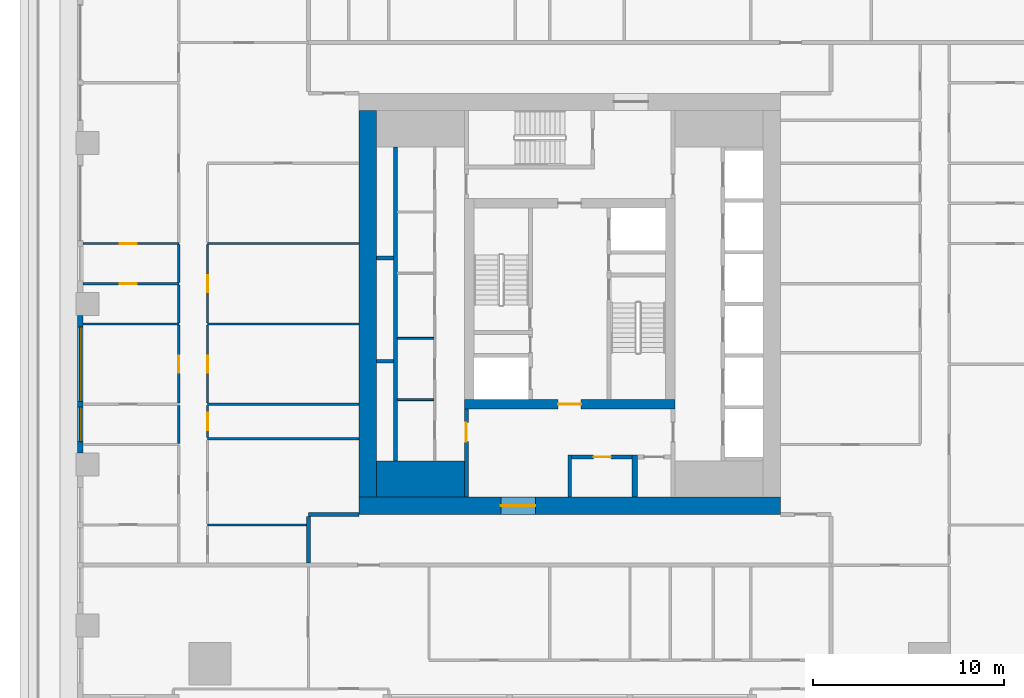
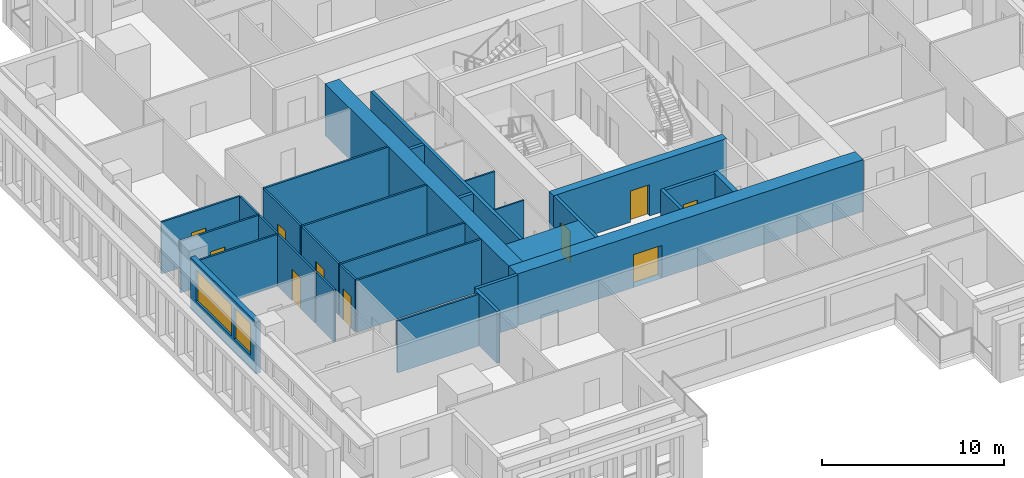
# One storey, part 3 of 14: 31 walls, 10 doors, 2 windows, 12 openings.
"""IFC4 building model written with IfcOpenShell, lengths in metres."""

from ifc_helpers import new_model, si_unit, direction, frame, frame_2d, origin, place, context, subcontext, project, spatial, rectangle, extrude, material, layer, layer_set, type_object, element, fill, save


model = new_model("IFC4")

# Units and contexts
model_context = context("Model", 3, precision=1e-05, world=origin(), true_north=direction((0.0, 1.0)))
body_context = subcontext(model_context, "Body", "Model", "MODEL_VIEW")
ifc_project = project(units=[si_unit("LENGTHUNIT", "METRE"), si_unit("AREAUNIT", "SQUARE_METRE"), si_unit("VOLUMEUNIT", "CUBIC_METRE"), si_unit("PLANEANGLEUNIT", "RADIAN"), si_unit("MASSUNIT", "GRAM", prefix="KILO")], contexts=[model_context])

# Site, building, storey
site_placement = place(None, origin())
site = spatial("IfcSite", under=ifc_project, at=site_placement, CompositionType="ELEMENT")
building_placement = place(site_placement, origin())
building = spatial("IfcBuilding", under=site, at=building_placement, Name="Khepri Terraces", CompositionType="ELEMENT")
storey_placement = place(building_placement, frame((0.0, 0.0, 264.0)))
storey = spatial("IfcBuildingStorey", under=building, at=storey_placement, Name="L63", CompositionType="ELEMENT", Elevation=264.0)

# Walls
ifc_material_1 = material(Name="Concrete C40/50", Category="concrete")
ifc_layer_1 = layer(ifc_material_1, 1.89990234375, Name="Concrete C40/50", Category="concrete")
ifc_layer_set_1 = layer_set([ifc_layer_1], Name="Concrete C40/50")
wall_type_1 = type_object("IfcWallType", Name="Core wall 1900 C40/50", PredefinedType="SHEAR", material=ifc_layer_set_1)
wall_1_placement = place(storey_placement, frame((-10.10009765625, -9.14990234375, 0.0), z_axis=(0.0, 0.0, 1.0), x_axis=(1.0, 0.0, 0.0)))
element("IfcWall", 1, at=wall_1_placement, inside=storey, type_object=wall_type_1, Name="Core wall PR01 L63", PredefinedType="SHEAR", context=body_context, shape_type="SweptSolid", body=[
    extrude(rectangle(XDim=4.60009765625, YDim=1.89990234375, at=frame_2d((2.300048828125, 0.0))), origin(), (0.0, 0.0, 1.0), 3.47998046875),
])
ifc_layer_2 = layer(ifc_material_1, 0.199951171875, Name="Concrete C40/50", Category="concrete")
ifc_layer_set_2 = layer_set([ifc_layer_2], Name="Concrete C40/50")
wall_type_2 = type_object("IfcWallType", Name="Core wall 200 C40/50", PredefinedType="SHEAR", material=ifc_layer_set_2)
wall_2_placement = place(storey_placement, frame((-9.10009765625, -8.199951171875, 0.0), z_axis=(0.0, 0.0, 1.0), x_axis=(0.0, 1.0, 0.0)))
element("IfcWall", 2, at=wall_2_placement, inside=storey, type_object=wall_type_2, Name="Core wall SH01 L63", PredefinedType="SHEAR", context=body_context, shape_type="SweptSolid", body=[
    extrude(rectangle(XDim=16.39990234375, YDim=0.199951171875, at=frame_2d((8.199951171875, 0.0))), origin(), (0.0, 0.0, 1.0), 3.47998046875),
])
for number, where, z_axis, x_axis, name in (
    (3, (-10.10009765625, -3.0, 0.0), (0.0, 0.0, 1.0), (1.0, 0.0, 0.0), "Core wall SH06 L63"),
    (4, (-10.10009765625, 2.39990234375, 0.0), (0.0, 0.0, 1.0), (1.0, 0.0, 0.0), "Core wall SH11 L63"),
):
    element("IfcWall", number, at=place(storey_placement, frame(where, z_axis=z_axis, x_axis=x_axis)), inside=storey, type_object=wall_type_2, Name=name, PredefinedType="SHEAR", context=body_context, shape_type="SweptSolid", body=[
        extrude(rectangle(XDim=0.900146484375, YDim=0.199951171875, at=frame_2d((0.4501953125, 0.0))), origin(), (0.0, 0.0, 1.0), 3.47998046875),
    ])

# Wall, opening, door
ifc_layer_3 = layer(ifc_material_1, 0.5, Name="Concrete C40/50", Category="concrete")
ifc_layer_set_3 = layer_set([ifc_layer_3], Name="Concrete C40/50")
wall_type_3 = type_object("IfcWallType", Name="Core wall 500 C40/50", PredefinedType="SHEAR", material=ifc_layer_set_3)
wall_3_placement = place(storey_placement, frame((-5.5, -5.25, 0.0), z_axis=(0.0, 0.0, 1.0), x_axis=(1.0, 0.0, 0.0)))
wall_3 = element("IfcWall", 5, at=wall_3_placement, inside=storey, type_object=wall_type_3, Name="Core wall BX01 L63", PredefinedType="SHEAR", context=body_context, shape_type="SweptSolid", body=[
    extrude(rectangle(XDim=11.0, YDim=0.5, at=frame_2d((5.5, 0.0))), origin(), (0.0, 0.0, 1.0), 3.47998046875),
])
opening_1_placement = place(wall_3_placement, frame((4.89990234375, 0.0, 0.0)))
opening_1 = element("IfcOpeningElement", 6, at=opening_1_placement, cuts=wall_3, Name="Opening L63-C14", PredefinedType="OPENING", context=body_context, shape_type="SweptSolid", body=[
    extrude(rectangle(XDim=1.199951171875, YDim=2.10009765625, at=frame_2d((0.60009765625, 1.050048828125))), frame((0.0, 0.260009765625, 0.0), z_axis=(0.0, -1.0, 0.0), x_axis=(1.0, 0.0, 0.0)), (0.0, 0.0, 1.0), 0.52001953125),
])
ifc_material_2 = material(Name="Painted steel", Category="steel")
door_type_1 = type_object("IfcDoorType", Name="DR-CORE-FF-LOBBY-1200", OperationType="NOTDEFINED", PredefinedType="DOOR", material=ifc_material_2)
door_1_placement = place(opening_1_placement, origin())
door_1 = element("IfcDoor", 7, at=door_1_placement, inside=storey, type_object=door_type_1, Name="Firefighting lobby door L63-C14", OperationType="SINGLE_SWING_RIGHT", OverallHeight=2.10009765625, OverallWidth=1.199951171875, PredefinedType="DOOR", context=body_context, shape_type="SweptSolid", body=[
    extrude(rectangle(XDim=1.199951171875, YDim=2.10009765625, at=frame_2d((0.60009765625, 1.050048828125))), frame((0.0, 0.02490234375, 0.0), z_axis=(0.0, -1.0, 0.0), x_axis=(1.0, 0.0, 0.0)), (0.0, 0.0, 1.0), 0.050048828125),
])
fill(opening_1, door_1)

ifc_layer_4 = layer(ifc_material_1, 0.89990234375, Name="Concrete C40/50", Category="concrete")
ifc_layer_set_4 = layer_set([ifc_layer_4], Name="Concrete C40/50")
wall_type_4 = type_object("IfcWallType", Name="Core wall 900 C40/50", PredefinedType="SHEAR", material=ifc_layer_set_4)
wall_4_placement = place(storey_placement, frame((-11.0, -10.550048828125, 0.0), z_axis=(0.0, 0.0, 1.0), x_axis=(1.0, 0.0, 0.0)))
wall_4 = element("IfcWall", 8, at=wall_4_placement, inside=storey, type_object=wall_type_4, Name="Core wall OW-S L63", PredefinedType="SHEAR", context=body_context, shape_type="SweptSolid", body=[
    extrude(rectangle(XDim=22.0, YDim=0.89990234375, at=frame_2d((11.0, 0.0))), origin(), (0.0, 0.0, 1.0), 3.47998046875),
])
opening_2_placement = place(wall_4_placement, frame((7.39990234375, 0.0, 0.0)))
opening_2 = element("IfcOpeningElement", 9, at=opening_2_placement, cuts=wall_4, Name="Opening L63-C21", PredefinedType="OPENING", context=body_context, shape_type="SweptSolid", body=[
    extrude(rectangle(XDim=1.800048828125, YDim=2.199951171875, at=frame_2d((0.89990234375, 1.10009765625))), frame((0.0, 0.4599609375, 0.0), z_axis=(0.0, -1.0, 0.0), x_axis=(1.0, 0.0, 0.0)), (0.0, 0.0, 1.0), 0.919921875),
])
door_type_2 = type_object("IfcDoorType", Name="DR-CORE-ENTRANCE-1800", OperationType="NOTDEFINED", PredefinedType="DOOR", material=ifc_material_2)
door_2_placement = place(opening_2_placement, frame((1.800048828125, 0.0, 0.0), z_axis=(0.0, 0.0, 1.0), x_axis=(-1.0, 0.0, 0.0)))
door_2 = element("IfcDoor", 10, at=door_2_placement, inside=storey, type_object=door_type_2, Name="Core entrance door pair L63-C21", OperationType="DOUBLE_DOOR_SINGLE_SWING", OverallHeight=2.199951171875, OverallWidth=1.800048828125, PredefinedType="DOOR", context=body_context, shape_type="SweptSolid", body=[
    extrude(rectangle(XDim=1.800048828125, YDim=2.199951171875, at=frame_2d((0.89990234375, 1.10009765625))), frame((0.0, 0.02490234375, 0.0), z_axis=(0.0, -1.0, 0.0), x_axis=(1.0, 0.0, 0.0)), (0.0, 0.0, 1.0), 0.050048828125),
])
fill(opening_2, door_2)

# Walls
wall_5_placement = place(storey_placement, frame((-10.550048828125, -10.10009765625, 0.0), z_axis=(0.0, 0.0, 1.0), x_axis=(0.0, 1.0, 0.0)))
element("IfcWall", 11, at=wall_5_placement, inside=storey, type_object=wall_type_4, Name="Core wall OW-W L63", PredefinedType="SHEAR", context=body_context, shape_type="SweptSolid", body=[
    extrude(rectangle(XDim=20.2001953125, YDim=0.89990234375, at=frame_2d((10.10009765625, 0.0))), origin(), (0.0, 0.0, 1.0), 3.47998046875),
])
ifc_material_3 = material(Name="Fire-rated gypsum board partition")
ifc_layer_5 = layer(ifc_material_3, 0.10009765625, Name="Fire-rated gypsum board partition")
ifc_layer_set_5 = layer_set([ifc_layer_5], Name="Fire-rated gypsum board partition")
wall_type_5 = type_object("IfcWallType", Name="WL-CORE-PART-100", PredefinedType="PARTITIONING", material=ifc_layer_set_5)
for number, where, z_axis, x_axis, name in (
    (12, (-9.0, -5.0, 0.0), (0.0, 0.0, 1.0), (1.0, 0.0, 0.0), "Core partition PT08 L63"),
    (13, (-9.0, -1.800048828125, 0.0), (0.0, 0.0, 1.0), (1.0, 0.0, 0.0), "Core partition PT09 L63"),
):
    element("IfcWall", number, at=place(storey_placement, frame(where, z_axis=z_axis, x_axis=x_axis)), inside=storey, type_object=wall_type_5, Name=name, PredefinedType="PARTITIONING", context=body_context, shape_type="SweptSolid", body=[
        extrude(rectangle(XDim=1.89990234375, YDim=0.10009765625, at=frame_2d((0.949951171875, 0.0))), origin(), (0.0, 0.0, 1.0), 3.47998046875),
    ])

# Wall, opening, door
ifc_layer_6 = layer(ifc_material_3, 0.199951171875, Name="Fire-rated gypsum board partition")
ifc_layer_set_6 = layer_set([ifc_layer_6], Name="Fire-rated gypsum board partition")
wall_type_6 = type_object("IfcWallType", Name="WL-CORE-PART-200", PredefinedType="PARTITIONING", material=ifc_layer_set_6)
wall_6_placement = place(storey_placement, frame((-5.39990234375, -10.10009765625, 0.0), z_axis=(0.0, 0.0, 1.0), x_axis=(0.0, 1.0, 0.0)))
wall_6 = element("IfcWall", 14, at=wall_6_placement, inside=storey, type_object=wall_type_6, Name="Core partition PT01 L63", PredefinedType="PARTITIONING", context=body_context, shape_type="SweptSolid", body=[
    extrude(rectangle(XDim=4.60009765625, YDim=0.199951171875, at=frame_2d((2.300048828125, 0.0))), origin(), (0.0, 0.0, 1.0), 3.47998046875),
])
opening_3_placement = place(wall_6_placement, frame((2.89990234375, 0.0, 0.0)))
opening_3 = element("IfcOpeningElement", 15, at=opening_3_placement, cuts=wall_6, Name="Opening L63-C18", PredefinedType="OPENING", context=body_context, shape_type="SweptSolid", body=[
    extrude(rectangle(XDim=1.0, YDim=2.10009765625, at=frame_2d((0.5, 1.050048828125))), frame((0.0, 0.10986328125, 0.0), z_axis=(0.0, -1.0, 0.0), x_axis=(1.0, 0.0, 0.0)), (0.0, 0.0, 1.0), 0.219970703125),
])
door_type_3 = type_object("IfcDoorType", Name="DR-CORE-LOBBY-1000", OperationType="NOTDEFINED", PredefinedType="DOOR", material=ifc_material_2)
door_3_placement = place(opening_3_placement, frame((1.0, 0.0, 0.0), z_axis=(0.0, 0.0, 1.0), x_axis=(-1.0, 0.0, 0.0)))
door_3 = element("IfcDoor", 16, at=door_3_placement, inside=storey, type_object=door_type_3, Name="Lobby door L63-C18", OperationType="SINGLE_SWING_LEFT", OverallHeight=2.10009765625, OverallWidth=1.0, PredefinedType="DOOR", context=body_context, shape_type="SweptSolid", body=[
    extrude(rectangle(XDim=1.0, YDim=2.10009765625, at=frame_2d((0.5, 1.050048828125))), frame((0.0, 0.02490234375, 0.0), z_axis=(0.0, -1.0, 0.0), x_axis=(1.0, 0.0, 0.0)), (0.0, 0.0, 1.0), 0.050048828125),
])
fill(opening_3, door_3)

# Wall
wall_7_placement = place(storey_placement, frame((0.0, -10.10009765625, 0.0), z_axis=(0.0, 0.0, 1.0), x_axis=(0.0, 1.0, 0.0)))
element("IfcWall", 17, at=wall_7_placement, inside=storey, type_object=wall_type_6, Name="Core partition PT02 L63", PredefinedType="PARTITIONING", context=body_context, shape_type="SweptSolid", body=[
    extrude(rectangle(XDim=2.2001953125, YDim=0.199951171875, at=frame_2d((1.10009765625, 0.0))), origin(), (0.0, 0.0, 1.0), 3.47998046875),
])

# Wall, opening, door
wall_8_placement = place(storey_placement, frame((0.10009765625, -8.0, 0.0), z_axis=(0.0, 0.0, 1.0), x_axis=(1.0, 0.0, 0.0)))
wall_8 = element("IfcWall", 18, at=wall_8_placement, inside=storey, type_object=wall_type_6, Name="Core partition PT06 L63", PredefinedType="PARTITIONING", context=body_context, shape_type="SweptSolid", body=[
    extrude(rectangle(XDim=3.14990234375, YDim=0.199951171875, at=frame_2d((1.574951171875, 0.0))), origin(), (0.0, 0.0, 1.0), 3.47998046875),
])
opening_4_placement = place(wall_8_placement, frame((1.14990234375, 0.0, 0.0)))
opening_4 = element("IfcOpeningElement", 19, at=opening_4_placement, cuts=wall_8, Name="Opening L63-C22", PredefinedType="OPENING", context=body_context, shape_type="SweptSolid", body=[
    extrude(rectangle(XDim=0.89990234375, YDim=2.10009765625, at=frame_2d((0.449951171875, 1.050048828125))), frame((0.0, 0.10986328125, 0.0), z_axis=(0.0, -1.0, 0.0), x_axis=(1.0, 0.0, 0.0)), (0.0, 0.0, 1.0), 0.219970703125),
])
door_type_4 = type_object("IfcDoorType", Name="DR-CORE-SERVICE-900", OperationType="NOTDEFINED", PredefinedType="DOOR", material=ifc_material_2)
door_4_placement = place(opening_4_placement, frame((0.89990234375, 0.0, 0.0), z_axis=(0.0, 0.0, 1.0), x_axis=(-1.0, 0.0, 0.0)))
door_4 = element("IfcDoor", 20, at=door_4_placement, inside=storey, type_object=door_type_4, Name="Service room door L63-C22", OperationType="SINGLE_SWING_LEFT", OverallHeight=2.10009765625, OverallWidth=0.89990234375, PredefinedType="DOOR", context=body_context, shape_type="SweptSolid", body=[
    extrude(rectangle(XDim=0.89990234375, YDim=2.10009765625, at=frame_2d((0.449951171875, 1.050048828125))), frame((0.0, 0.02490234375, 0.0), z_axis=(0.0, -1.0, 0.0), x_axis=(1.0, 0.0, 0.0)), (0.0, 0.0, 1.0), 0.050048828125),
])
fill(opening_4, door_4)

# Walls
ifc_layer_7 = layer(ifc_material_3, 0.300048828125, Name="Fire-rated gypsum board partition")
ifc_layer_set_7 = layer_set([ifc_layer_7], Name="Fire-rated gypsum board partition")
wall_type_7 = type_object("IfcWallType", Name="WL-CORE-PART-300", PredefinedType="PARTITIONING", material=ifc_layer_set_7)
wall_9_placement = place(storey_placement, frame((3.39990234375, -10.10009765625, 0.0), z_axis=(0.0, 0.0, 1.0), x_axis=(0.0, 1.0, 0.0)))
element("IfcWall", 21, at=wall_9_placement, inside=storey, type_object=wall_type_7, Name="Core partition PT03 L63", PredefinedType="PARTITIONING", context=body_context, shape_type="SweptSolid", body=[
    extrude(rectangle(XDim=2.2001953125, YDim=0.300048828125, at=frame_2d((1.10009765625, 0.0))), origin(), (0.0, 0.0, 1.0), 3.47998046875),
])
ifc_material_4 = material(Name="Fire-rated gypsum plasterboard partition, mineral wool")
ifc_layer_8 = layer(ifc_material_4, 0.199951171875, Name="Fire-rated gypsum plasterboard partition, mineral wool")
ifc_layer_set_8 = layer_set([ifc_layer_8], Name="Fire-rated gypsum plasterboard partition, mineral wool")
wall_type_8 = type_object("IfcWallType", Name="WL-CORR-200", PredefinedType="PARTITIONING", material=ifc_layer_set_8)
wall_10_placement = place(storey_placement, frame((-13.64990234375, -13.550048828125, 0.0), z_axis=(0.0, 0.0, 1.0), x_axis=(0.0, 1.0, 0.0)))
element("IfcWall", 22, at=wall_10_placement, inside=storey, type_object=wall_type_8, Name="Partition P-023 L63", PredefinedType="PARTITIONING", context=body_context, shape_type="SweptSolid", body=[
    extrude(rectangle(XDim=2.449951171875, YDim=0.199951171875, at=frame_2d((1.22509765625, 0.0))), origin(), (0.0, 0.0, 1.0), 3.47998046875),
])
wall_11_placement = place(storey_placement, frame((-13.64990234375, -11.0, 0.0), z_axis=(0.0, 0.0, 1.0), x_axis=(1.0, 0.0, 0.0)))
element("IfcWall", 23, at=wall_11_placement, inside=storey, type_object=wall_type_8, Name="Partition P-031 L63", PredefinedType="PARTITIONING", context=body_context, shape_type="SweptSolid", body=[
    extrude(rectangle(XDim=2.64990234375, YDim=0.199951171875, at=frame_2d((1.324951171875, 0.0))), origin(), (0.0, 0.0, 1.0), 3.47998046875),
])

# Wall, openings, windows
ifc_material_5 = material(Name="Precast concrete C50/60 warm stone", Category="masonry")
ifc_layer_9 = layer(ifc_material_5, 0.300048828125, Name="Precast concrete C50/60 warm stone", Category="masonry")
ifc_layer_set_9 = layer_set([ifc_layer_9], Name="Precast concrete C50/60 warm stone")
wall_type_9 = type_object("IfcWallType", Name="WL-EXT-PRECAST-300", PredefinedType="STANDARD", material=ifc_layer_set_9)
wall_12_placement = place(storey_placement, frame((-25.570068359375, -0.60009765625, 0.0), z_axis=(0.0, 0.0, 1.0), x_axis=(0.0, -1.0, 0.0)))
wall_12 = element("IfcWall", 24, at=wall_12_placement, inside=storey, type_object=wall_type_9, Name="External wall L63 W", PredefinedType="STANDARD", context=body_context, shape_type="SweptSolid", body=[
    extrude(rectangle(XDim=7.199951171875, YDim=0.300048828125, at=frame_2d((3.60009765625, 0.0))), origin(), (0.0, 0.0, 1.0), 3.47998046875),
])
opening_5_placement = place(wall_12_placement, frame((0.60009765625, 0.0, 0.89990234375)))
opening_5 = element("IfcOpeningElement", 25, at=opening_5_placement, cuts=wall_12, Name="Opening W2", PredefinedType="OPENING", context=body_context, shape_type="SweptSolid", body=[
    extrude(rectangle(XDim=3.89990234375, YDim=2.10009765625, at=frame_2d((1.949951171875, 1.050048828125))), frame((0.0, 0.16015625, 0.0), z_axis=(0.0, -1.0, 0.0), x_axis=(1.0, 0.0, 0.0)), (0.0, 0.0, 1.0), 0.320068359375),
])
opening_6_placement = place(wall_12_placement, frame((4.800048828125, 0.0, 0.89990234375)))
opening_6 = element("IfcOpeningElement", 26, at=opening_6_placement, cuts=wall_12, Name="Opening W1", PredefinedType="OPENING", context=body_context, shape_type="SweptSolid", body=[
    extrude(rectangle(XDim=1.800048828125, YDim=2.10009765625, at=frame_2d((0.89990234375, 1.050048828125))), frame((0.0, 0.16015625, 0.0), z_axis=(0.0, -1.0, 0.0), x_axis=(1.0, 0.0, 0.0)), (0.0, 0.0, 1.0), 0.320068359375),
])
ifc_material_6 = material(Name="Clear glass", Category="glass")
window_type_1 = type_object("IfcWindowType", Name="WIN-RES-1800x2100", PartitioningType="SINGLE_PANEL", PredefinedType="WINDOW", material=ifc_material_6)
window_1_placement = place(opening_6_placement, origin())
window_1 = element("IfcWindow", 27, at=window_1_placement, inside=storey, type_object=window_type_1, Name="Window L63 W", OverallHeight=2.10009765625, OverallWidth=1.800048828125, PartitioningType="SINGLE_PANEL", PredefinedType="WINDOW", context=body_context, shape_type="SweptSolid", body=[
    extrude(rectangle(XDim=1.800048828125, YDim=2.10009765625, at=frame_2d((0.89990234375, 1.050048828125))), frame((0.0, 0.030029296875, 0.0), z_axis=(0.0, -1.0, 0.0), x_axis=(1.0, 0.0, 0.0)), (0.0, 0.0, 1.0), 0.06005859375),
])
fill(opening_6, window_1)
window_type_2 = type_object("IfcWindowType", Name="WIN-RES-3900x2100", PartitioningType="SINGLE_PANEL", PredefinedType="WINDOW", material=ifc_material_6)
window_2_placement = place(opening_5_placement, origin())
window_2 = element("IfcWindow", 28, at=window_2_placement, inside=storey, type_object=window_type_2, Name="Window L63 W", OverallHeight=2.10009765625, OverallWidth=3.89990234375, PartitioningType="SINGLE_PANEL", PredefinedType="WINDOW", context=body_context, shape_type="SweptSolid", body=[
    extrude(rectangle(XDim=3.89990234375, YDim=2.10009765625, at=frame_2d((1.949951171875, 1.050048828125))), frame((0.0, 0.030029296875, 0.0), z_axis=(0.0, -1.0, 0.0), x_axis=(1.0, 0.0, 0.0)), (0.0, 0.0, 1.0), 0.06005859375),
])
fill(opening_5, window_2)

# Walls
ifc_material_7 = material(Name="Gypsum plasterboard partition")
ifc_layer_10 = layer(ifc_material_7, 0.1201171875, Name="Gypsum plasterboard partition")
ifc_layer_set_10 = layer_set([ifc_layer_10], Name="Gypsum plasterboard partition")
wall_type_10 = type_object("IfcWallType", Name="WL-PART-120", PredefinedType="PARTITIONING", material=ifc_layer_set_10)
wall_13_placement = place(storey_placement, frame((-18.919921875, -11.550048828125, 0.0), z_axis=(0.0, 0.0, 1.0), x_axis=(1.0, 0.0, 0.0)))
element("IfcWall", 29, at=wall_13_placement, inside=storey, type_object=wall_type_10, Name="Partition P-026 L63", PredefinedType="PARTITIONING", context=body_context, shape_type="SweptSolid", body=[
    extrude(rectangle(XDim=5.169921875, YDim=0.1201171875, at=frame_2d((2.5849609375, 0.0))), origin(), (0.0, 0.0, 1.0), 3.47998046875),
])
wall_14_placement = place(storey_placement, frame((-20.419921875, -7.2900390625, 0.0), z_axis=(0.0, 0.0, 1.0), x_axis=(0.0, 1.0, 0.0)))
element("IfcWall", 30, at=wall_14_placement, inside=storey, type_object=wall_type_10, Name="Partition P-035 L63", PredefinedType="PARTITIONING", context=body_context, shape_type="SweptSolid", body=[
    extrude(rectangle(XDim=1.97998046875, YDim=0.1201171875, at=frame_2d((0.989990234375, 0.0))), origin(), (0.0, 0.0, 1.0), 3.47998046875),
])
wall_15_placement = place(storey_placement, frame((-18.919921875, -7.050048828125, 0.0), z_axis=(0.0, 0.0, 1.0), x_axis=(1.0, 0.0, 0.0)))
element("IfcWall", 31, at=wall_15_placement, inside=storey, type_object=wall_type_10, Name="Partition P-037 L63", PredefinedType="PARTITIONING", context=body_context, shape_type="SweptSolid", body=[
    extrude(rectangle(XDim=7.919921875, YDim=0.1201171875, at=frame_2d((3.9599609375, 0.0))), origin(), (0.0, 0.0, 1.0), 3.47998046875),
])

# Wall, opening, door
wall_16_placement = place(storey_placement, frame((-18.919921875, -6.989990234375, 0.0), z_axis=(0.0, 0.0, 1.0), x_axis=(0.0, 1.0, 0.0)))
wall_16 = element("IfcWall", 32, at=wall_16_placement, inside=storey, type_object=wall_type_10, Name="Partition P-038 L63", PredefinedType="PARTITIONING", context=body_context, shape_type="SweptSolid", body=[
    extrude(rectangle(XDim=1.679931640625, YDim=0.1201171875, at=frame_2d((0.83984375, 0.0))), origin(), (0.0, 0.0, 1.0), 3.47998046875),
])
opening_7_placement = place(wall_16_placement, frame((0.389892578125, 0.0, 0.0)))
opening_7 = element("IfcOpeningElement", 33, at=opening_7_placement, cuts=wall_16, Name="Opening D4", PredefinedType="OPENING", context=body_context, shape_type="SweptSolid", body=[
    extrude(rectangle(XDim=0.89990234375, YDim=2.10009765625, at=frame_2d((0.449951171875, 1.050048828125))), frame((0.0, 0.070068359375, 0.0), z_axis=(0.0, -1.0, 0.0), x_axis=(1.0, 0.0, 0.0)), (0.0, 0.0, 1.0), 0.14013671875),
])
ifc_material_8 = material(Name="Timber door leaf, moisture resistant", Category="wood")
door_type_5 = type_object("IfcDoorType", Name="DR-WET-900", OperationType="NOTDEFINED", PredefinedType="DOOR", material=ifc_material_8)
door_5_placement = place(opening_7_placement, frame((0.89990234375, 0.0, 0.0), z_axis=(0.0, 0.0, 1.0), x_axis=(-1.0, 0.0, 0.0)))
door_5 = element("IfcDoor", 34, at=door_5_placement, inside=storey, type_object=door_type_5, Name="Door Guest Bathroom", OperationType="SINGLE_SWING_RIGHT", OverallHeight=2.10009765625, OverallWidth=0.89990234375, PredefinedType="DOOR", context=body_context, shape_type="SweptSolid", body=[
    extrude(rectangle(XDim=0.89990234375, YDim=2.10009765625, at=frame_2d((0.449951171875, 1.050048828125))), frame((0.0, 0.02490234375, 0.0), z_axis=(0.0, -1.0, 0.0), x_axis=(1.0, 0.0, 0.0)), (0.0, 0.0, 1.0), 0.050048828125),
])
fill(opening_7, door_5)

# Wall
wall_17_placement = place(storey_placement, frame((-18.919921875, -5.25, 0.0), z_axis=(0.0, 0.0, 1.0), x_axis=(1.0, 0.0, 0.0)))
element("IfcWall", 35, at=wall_17_placement, inside=storey, type_object=wall_type_10, Name="Partition P-040 L63", PredefinedType="PARTITIONING", context=body_context, shape_type="SweptSolid", body=[
    extrude(rectangle(XDim=7.919921875, YDim=0.1201171875, at=frame_2d((3.9599609375, 0.0))), origin(), (0.0, 0.0, 1.0), 3.47998046875),
])

# Wall, opening, door
wall_18_placement = place(storey_placement, frame((-20.419921875, -5.18994140625, 0.0), z_axis=(0.0, 0.0, 1.0), x_axis=(0.0, 1.0, 0.0)))
wall_18 = element("IfcWall", 36, at=wall_18_placement, inside=storey, type_object=wall_type_10, Name="Partition P-041 L63", PredefinedType="PARTITIONING", context=body_context, shape_type="SweptSolid", body=[
    extrude(rectangle(XDim=4.079833984375, YDim=0.1201171875, at=frame_2d((2.0400390625, 0.0))), origin(), (0.0, 0.0, 1.0), 3.47998046875),
])
opening_8_placement = place(wall_18_placement, frame((1.590087890625, 0.0, 0.0)))
opening_8 = element("IfcOpeningElement", 37, at=opening_8_placement, cuts=wall_18, Name="Opening D3", PredefinedType="OPENING", context=body_context, shape_type="SweptSolid", body=[
    extrude(rectangle(XDim=0.89990234375, YDim=2.10009765625, at=frame_2d((0.449951171875, 1.050048828125))), frame((0.0, 0.070068359375, 0.0), z_axis=(0.0, -1.0, 0.0), x_axis=(1.0, 0.0, 0.0)), (0.0, 0.0, 1.0), 0.14013671875),
])
ifc_material_9 = material(Name="Timber door leaf", Category="wood")
door_type_6 = type_object("IfcDoorType", Name="DR-INT-900", OperationType="NOTDEFINED", PredefinedType="DOOR", material=ifc_material_9)
door_6_placement = place(opening_8_placement, origin())
door_6 = element("IfcDoor", 38, at=door_6_placement, inside=storey, type_object=door_type_6, Name="Door Bedroom", OperationType="SINGLE_SWING_RIGHT", OverallHeight=2.10009765625, OverallWidth=0.89990234375, PredefinedType="DOOR", context=body_context, shape_type="SweptSolid", body=[
    extrude(rectangle(XDim=0.89990234375, YDim=2.10009765625, at=frame_2d((0.449951171875, 1.050048828125))), frame((0.0, 0.02490234375, 0.0), z_axis=(0.0, -1.0, 0.0), x_axis=(1.0, 0.0, 0.0)), (0.0, 0.0, 1.0), 0.050048828125),
])
fill(opening_8, door_6)

wall_19_placement = place(storey_placement, frame((-18.919921875, -5.18994140625, 0.0), z_axis=(0.0, 0.0, 1.0), x_axis=(0.0, 1.0, 0.0)))
wall_19 = element("IfcWall", 39, at=wall_19_placement, inside=storey, type_object=wall_type_10, Name="Partition P-042 L63", PredefinedType="PARTITIONING", context=body_context, shape_type="SweptSolid", body=[
    extrude(rectangle(XDim=4.079833984375, YDim=0.1201171875, at=frame_2d((2.0400390625, 0.0))), origin(), (0.0, 0.0, 1.0), 3.47998046875),
])
opening_9_placement = place(wall_19_placement, frame((1.590087890625, 0.0, 0.0)))
opening_9 = element("IfcOpeningElement", 40, at=opening_9_placement, cuts=wall_19, Name="Opening D3", PredefinedType="OPENING", context=body_context, shape_type="SweptSolid", body=[
    extrude(rectangle(XDim=0.89990234375, YDim=2.10009765625, at=frame_2d((0.449951171875, 1.050048828125))), frame((0.0, 0.070068359375, 0.0), z_axis=(0.0, -1.0, 0.0), x_axis=(1.0, 0.0, 0.0)), (0.0, 0.0, 1.0), 0.14013671875),
])
door_7_placement = place(opening_9_placement, frame((0.89990234375, 0.0, 0.0), z_axis=(0.0, 0.0, 1.0), x_axis=(-1.0, 0.0, 0.0)))
door_7 = element("IfcDoor", 41, at=door_7_placement, inside=storey, type_object=door_type_6, Name="Door Staff Bedroom", OperationType="SINGLE_SWING_LEFT", OverallHeight=2.10009765625, OverallWidth=0.89990234375, PredefinedType="DOOR", context=body_context, shape_type="SweptSolid", body=[
    extrude(rectangle(XDim=0.89990234375, YDim=2.10009765625, at=frame_2d((0.449951171875, 1.050048828125))), frame((0.0, 0.02490234375, 0.0), z_axis=(0.0, -1.0, 0.0), x_axis=(1.0, 0.0, 0.0)), (0.0, 0.0, 1.0), 0.050048828125),
])
fill(opening_9, door_7)

# Walls
wall_20_placement = place(storey_placement, frame((-25.419921875, -1.050048828125, 0.0), z_axis=(0.0, 0.0, 1.0), x_axis=(1.0, 0.0, 0.0)))
element("IfcWall", 42, at=wall_20_placement, inside=storey, type_object=wall_type_10, Name="Partition P-047 L63", PredefinedType="PARTITIONING", context=body_context, shape_type="SweptSolid", body=[
    extrude(rectangle(XDim=5.0, YDim=0.1201171875, at=frame_2d((2.5, 0.0))), origin(), (0.0, 0.0, 1.0), 3.47998046875),
])
wall_21_placement = place(storey_placement, frame((-18.919921875, -1.050048828125, 0.0), z_axis=(0.0, 0.0, 1.0), x_axis=(1.0, 0.0, 0.0)))
element("IfcWall", 43, at=wall_21_placement, inside=storey, type_object=wall_type_10, Name="Partition P-048 L63", PredefinedType="PARTITIONING", context=body_context, shape_type="SweptSolid", body=[
    extrude(rectangle(XDim=7.919921875, YDim=0.1201171875, at=frame_2d((3.9599609375, 0.0))), origin(), (0.0, 0.0, 1.0), 3.47998046875),
])
wall_22_placement = place(storey_placement, frame((-20.419921875, -0.989990234375, 0.0), z_axis=(0.0, 0.0, 1.0), x_axis=(0.0, 1.0, 0.0)))
element("IfcWall", 44, at=wall_22_placement, inside=storey, type_object=wall_type_10, Name="Partition P-049 L63", PredefinedType="PARTITIONING", context=body_context, shape_type="SweptSolid", body=[
    extrude(rectangle(XDim=1.97998046875, YDim=0.1201171875, at=frame_2d((0.989990234375, 0.0))), origin(), (0.0, 0.0, 1.0), 3.47998046875),
])

# Wall, opening, door
wall_23_placement = place(storey_placement, frame((-18.919921875, -0.989990234375, 0.0), z_axis=(0.0, 0.0, 1.0), x_axis=(0.0, 1.0, 0.0)))
wall_23 = element("IfcWall", 45, at=wall_23_placement, inside=storey, type_object=wall_type_10, Name="Partition P-050 L63", PredefinedType="PARTITIONING", context=body_context, shape_type="SweptSolid", body=[
    extrude(rectangle(XDim=4.080078125, YDim=0.1201171875, at=frame_2d((2.0400390625, 0.0))), origin(), (0.0, 0.0, 1.0), 3.47998046875),
])
opening_10_placement = place(wall_23_placement, frame((1.590087890625, 0.0, 0.0)))
opening_10 = element("IfcOpeningElement", 46, at=opening_10_placement, cuts=wall_23, Name="Opening D3", PredefinedType="OPENING", context=body_context, shape_type="SweptSolid", body=[
    extrude(rectangle(XDim=0.89990234375, YDim=2.10009765625, at=frame_2d((0.449951171875, 1.050048828125))), frame((0.0, 0.070068359375, 0.0), z_axis=(0.0, -1.0, 0.0), x_axis=(1.0, 0.0, 0.0)), (0.0, 0.0, 1.0), 0.14013671875),
])
door_8_placement = place(opening_10_placement, frame((0.89990234375, 0.0, 0.0), z_axis=(0.0, 0.0, 1.0), x_axis=(-1.0, 0.0, 0.0)))
door_8 = element("IfcDoor", 47, at=door_8_placement, inside=storey, type_object=door_type_6, Name="Door Service Store", OperationType="SINGLE_SWING_LEFT", OverallHeight=2.10009765625, OverallWidth=0.89990234375, PredefinedType="DOOR", context=body_context, shape_type="SweptSolid", body=[
    extrude(rectangle(XDim=0.89990234375, YDim=2.10009765625, at=frame_2d((0.449951171875, 1.050048828125))), frame((0.0, 0.02490234375, 0.0), z_axis=(0.0, -1.0, 0.0), x_axis=(1.0, 0.0, 0.0)), (0.0, 0.0, 1.0), 0.050048828125),
])
fill(opening_10, door_8)

wall_24_placement = place(storey_placement, frame((-25.419921875, 1.050048828125, 0.0), z_axis=(0.0, 0.0, 1.0), x_axis=(1.0, 0.0, 0.0)))
wall_24 = element("IfcWall", 48, at=wall_24_placement, inside=storey, type_object=wall_type_10, Name="Partition P-051 L63", PredefinedType="PARTITIONING", context=body_context, shape_type="SweptSolid", body=[
    extrude(rectangle(XDim=5.0, YDim=0.1201171875, at=frame_2d((2.5, 0.0))), origin(), (0.0, 0.0, 1.0), 3.47998046875),
])
opening_11_placement = place(wall_24_placement, frame((1.89990234375, 0.0, 0.0)))
opening_11 = element("IfcOpeningElement", 49, at=opening_11_placement, cuts=wall_24, Name="Opening D4", PredefinedType="OPENING", context=body_context, shape_type="SweptSolid", body=[
    extrude(rectangle(XDim=0.89990234375, YDim=2.10009765625, at=frame_2d((0.449951171875, 1.050048828125))), frame((0.0, 0.070068359375, 0.0), z_axis=(0.0, -1.0, 0.0), x_axis=(1.0, 0.0, 0.0)), (0.0, 0.0, 1.0), 0.14013671875),
])
door_9_placement = place(opening_11_placement, frame((0.89990234375, 0.0, 0.0), z_axis=(0.0, 0.0, 1.0), x_axis=(-1.0, 0.0, 0.0)))
door_9 = element("IfcDoor", 50, at=door_9_placement, inside=storey, type_object=door_type_5, Name="Door Bathroom", OperationType="SINGLE_SWING_RIGHT", OverallHeight=2.10009765625, OverallWidth=0.89990234375, PredefinedType="DOOR", context=body_context, shape_type="SweptSolid", body=[
    extrude(rectangle(XDim=0.89990234375, YDim=2.10009765625, at=frame_2d((0.449951171875, 1.050048828125))), frame((0.0, 0.02490234375, 0.0), z_axis=(0.0, -1.0, 0.0), x_axis=(1.0, 0.0, 0.0)), (0.0, 0.0, 1.0), 0.050048828125),
])
fill(opening_11, door_9)

# Wall
wall_25_placement = place(storey_placement, frame((-20.419921875, 1.110107421875, 0.0), z_axis=(0.0, 0.0, 1.0), x_axis=(0.0, 1.0, 0.0)))
element("IfcWall", 51, at=wall_25_placement, inside=storey, type_object=wall_type_10, Name="Partition P-053 L63", PredefinedType="PARTITIONING", context=body_context, shape_type="SweptSolid", body=[
    extrude(rectangle(XDim=1.97998046875, YDim=0.1201171875, at=frame_2d((0.989990234375, 0.0))), origin(), (0.0, 0.0, 1.0), 3.47998046875),
])

# Wall, opening, door
wall_26_placement = place(storey_placement, frame((-25.419921875, 3.14990234375, 0.0), z_axis=(0.0, 0.0, 1.0), x_axis=(1.0, 0.0, 0.0)))
wall_26 = element("IfcWall", 52, at=wall_26_placement, inside=storey, type_object=wall_type_10, Name="Partition P-055 L63", PredefinedType="PARTITIONING", context=body_context, shape_type="SweptSolid", body=[
    extrude(rectangle(XDim=5.0, YDim=0.1201171875, at=frame_2d((2.5, 0.0))), origin(), (0.0, 0.0, 1.0), 3.47998046875),
])
opening_12_placement = place(wall_26_placement, frame((1.89990234375, 0.0, 0.0)))
opening_12 = element("IfcOpeningElement", 53, at=opening_12_placement, cuts=wall_26, Name="Opening D3", PredefinedType="OPENING", context=body_context, shape_type="SweptSolid", body=[
    extrude(rectangle(XDim=0.89990234375, YDim=2.10009765625, at=frame_2d((0.449951171875, 1.050048828125))), frame((0.0, 0.070068359375, 0.0), z_axis=(0.0, -1.0, 0.0), x_axis=(1.0, 0.0, 0.0)), (0.0, 0.0, 1.0), 0.14013671875),
])
door_10_placement = place(opening_12_placement, frame((0.89990234375, 0.0, 0.0), z_axis=(0.0, 0.0, 1.0), x_axis=(-1.0, 0.0, 0.0)))
door_10 = element("IfcDoor", 54, at=door_10_placement, inside=storey, type_object=door_type_6, Name="Door Dressing Room", OperationType="SINGLE_SWING_RIGHT", OverallHeight=2.10009765625, OverallWidth=0.89990234375, PredefinedType="DOOR", context=body_context, shape_type="SweptSolid", body=[
    extrude(rectangle(XDim=0.89990234375, YDim=2.10009765625, at=frame_2d((0.449951171875, 1.050048828125))), frame((0.0, 0.02490234375, 0.0), z_axis=(0.0, -1.0, 0.0), x_axis=(1.0, 0.0, 0.0)), (0.0, 0.0, 1.0), 0.050048828125),
])
fill(opening_12, door_10)

# Wall
wall_27_placement = place(storey_placement, frame((-18.919921875, 3.14990234375, 0.0), z_axis=(0.0, 0.0, 1.0), x_axis=(1.0, 0.0, 0.0)))
element("IfcWall", 55, at=wall_27_placement, inside=storey, type_object=wall_type_10, Name="Partition P-056 L63", PredefinedType="PARTITIONING", context=body_context, shape_type="SweptSolid", body=[
    extrude(rectangle(XDim=7.919921875, YDim=0.1201171875, at=frame_2d((3.9599609375, 0.0))), origin(), (0.0, 0.0, 1.0), 3.47998046875),
])

save(model, "model.ifc")
